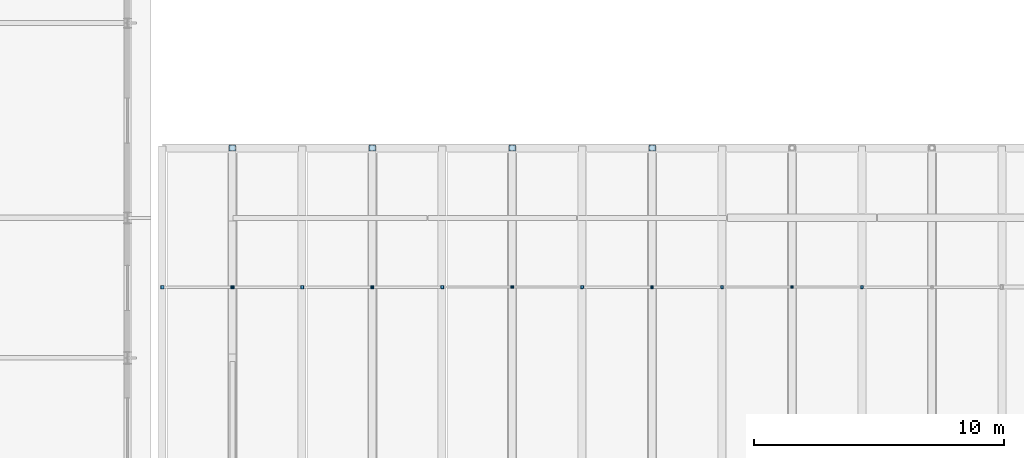
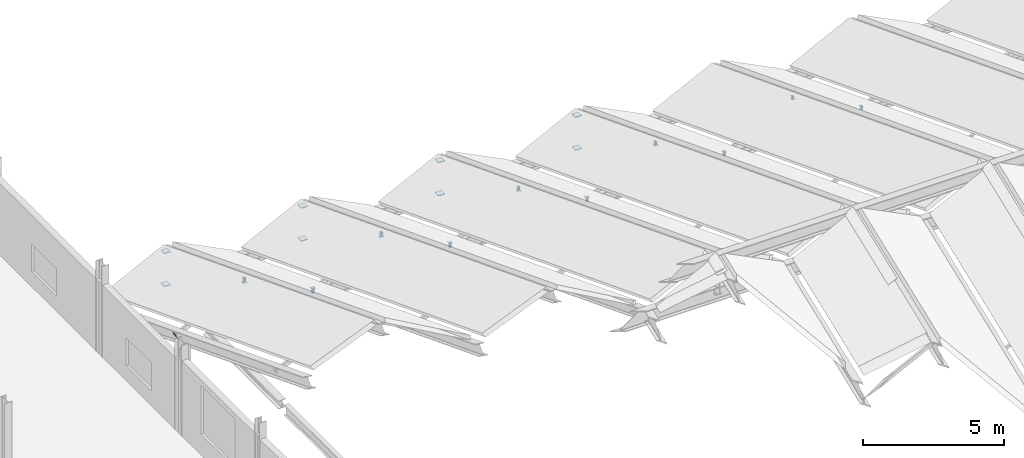
# One storey, part 35 of 49: 29 plates.
"""IFC4 building model written with IfcOpenShell, lengths in metres."""

from ifc_helpers import new_model, si_unit, direction, frame, origin, origin_2d, place, context, subcontext, project, spatial, rectangle, extrude, material, material_profile, profile_set, type_object, element, save


model = new_model("IFC4")

# Units and contexts
model_context = context("Model", 3, precision=1e-05, world=origin(), true_north=direction((0.0, 1.0)))
body_context = subcontext(model_context, "Body", "Model", "MODEL_VIEW")
ifc_project = project(units=[si_unit("LENGTHUNIT", "METRE"), si_unit("AREAUNIT", "SQUARE_METRE"), si_unit("VOLUMEUNIT", "CUBIC_METRE"), si_unit("PLANEANGLEUNIT", "RADIAN"), si_unit("MASSUNIT", "GRAM", prefix="KILO")], contexts=[model_context])

# Site, building, storey
site_placement = place(None, origin())
site = spatial("IfcSite", under=ifc_project, at=site_placement, CompositionType="ELEMENT")
building_placement = place(site_placement, origin())
building = spatial("IfcBuilding", under=site, at=building_placement, Name="Vinh Khe Railworks Police Headquarters", CompositionType="ELEMENT")
storey_placement = place(building_placement, frame((0.0, 0.0, 17.10009765625)))
storey = spatial("IfcBuildingStorey", under=building, at=storey_placement, Name="L04", CompositionType="ELEMENT", Elevation=17.10009765625)

# Plates
ifc_material = material(Name="Steel S355JR", Category="steel")
ifc_material_profile_1 = material_profile(ifc_material, rectangle(XDim=0.1201171875, YDim=0.159912109375, at=origin_2d()), Name="PL 120x160")
ifc_profile_set_1 = profile_set([ifc_material_profile_1], Name="Steel S355JR")
plate_type_1 = type_object("IfcPlateType", Name="Steel End-Cap Plate 120x160x24", PredefinedType="SHEET", material=ifc_profile_set_1)
for number, where, z_axis, x_axis, name in (
    (1, (46.0, 56.03271484375, 1.9775390625), (-0.894427191, 0.0, -0.4472135955), (0.0, -1.0, 0.0), "End-Cap Gusset Plate PLT-EP-0448"),
    (2, (48.800048828125, 56.03271484375, 3.37744140625), (-0.894427191, 0.0, 0.4472135955), (0.0, -1.0, 0.0), "End-Cap Gusset Plate PLT-EP-0476"),
    (3, (48.800048828125, 56.03271484375, 3.37744140625), (0.894427191, 0.0, 0.4472135955), (0.0, 1.0, 0.0), "End-Cap Gusset Plate PLT-EP-0477"),
    (4, (51.60009765625, 56.03271484375, 1.9775390625), (0.894427191, 0.0, -0.4472135955), (0.0, 1.0, 0.0), "End-Cap Gusset Plate PLT-EP-0519"),
):
    element("IfcPlate", number, at=place(storey_placement, frame(where, z_axis=z_axis, x_axis=x_axis)), inside=storey, type_object=plate_type_1, Name=name, PredefinedType="SHEET", context=body_context, shape_type="SweptSolid", body=[
        extrude(rectangle(XDim=0.1201171875, YDim=0.159912109375, at=origin_2d()), origin(), (0.0, 0.0, 1.0), 0.02392578125),
    ])
ifc_material_profile_2 = material_profile(ifc_material, rectangle(XDim=0.1201171875, YDim=0.199951171875, at=origin_2d()), Name="PL 120x200")
ifc_profile_set_2 = profile_set([ifc_material_profile_2], Name="Steel S355JR")
plate_type_2 = type_object("IfcPlateType", Name="Steel End-Cap Plate 120x200x24", PredefinedType="SHEET", material=ifc_profile_set_2)
for number, where, z_axis, x_axis, name in (
    (5, (34.800048828125, 56.03271484375, 1.95751953125), (-0.894427191, 0.0, -0.4472135955), (0.0, -1.0, 0.0), "End-Cap Gusset Plate PLT-EP-0332"),
    (6, (37.60009765625, 56.03271484375, 3.357421875), (-0.894427191, 0.0, 0.4472135955), (0.0, -1.0, 0.0), "End-Cap Gusset Plate PLT-EP-0376"),
    (7, (37.60009765625, 56.03271484375, 3.357421875), (0.894427191, 0.0, 0.4472135955), (0.0, 1.0, 0.0), "End-Cap Gusset Plate PLT-EP-0377"),
    (8, (40.39990234375, 56.03271484375, 1.95751953125), (0.894427191, 0.0, -0.4472135955), (0.0, 1.0, 0.0), "End-Cap Gusset Plate PLT-EP-0394"),
):
    element("IfcPlate", number, at=place(storey_placement, frame(where, z_axis=z_axis, x_axis=x_axis)), inside=storey, type_object=plate_type_2, Name=name, PredefinedType="SHEET", context=body_context, shape_type="SweptSolid", body=[
        extrude(rectangle(XDim=0.1201171875, YDim=0.199951171875, at=origin_2d()), origin(), (0.0, 0.0, 1.0), 0.02392578125),
    ])
ifc_material_profile_3 = material_profile(ifc_material, rectangle(XDim=0.139892578125, YDim=0.139892578125, at=origin_2d()), Name="PL 140x140")
ifc_profile_set_3 = profile_set([ifc_material_profile_3], Name="Steel S355JR")
plate_type_3 = type_object("IfcPlateType", Name="Steel End-Cap Plate 140x140x24", PredefinedType="SHEET", material=ifc_profile_set_3)
plate_1_placement = place(storey_placement, frame((51.60009765625, 56.03271484375, 1.987548828125), z_axis=(-0.894427191, 0.0, -0.4472135955), x_axis=(0.0, -1.0, 0.0)))
element("IfcPlate", 9, at=plate_1_placement, inside=storey, type_object=plate_type_3, Name="End-Cap Gusset Plate PLT-EP-0518", PredefinedType="SHEET", context=body_context, shape_type="SweptSolid", body=[
    extrude(rectangle(XDim=0.139892578125, YDim=0.139892578125, at=origin_2d()), origin(), (0.0, 0.0, 1.0), 0.02392578125),
])
ifc_material_profile_4 = material_profile(ifc_material, rectangle(XDim=0.139892578125, YDim=0.18994140625, at=origin_2d()), Name="PL 140x190")
ifc_profile_set_4 = profile_set([ifc_material_profile_4], Name="Steel S355JR")
plate_type_4 = type_object("IfcPlateType", Name="Steel End-Cap Plate 140x190x24", PredefinedType="SHEET", material=ifc_profile_set_4)
for number, where, z_axis, x_axis, name in (
    (10, (40.39990234375, 56.03271484375, 1.96240234375), (-0.894427191, 0.0, -0.4472135955), (0.0, -1.0, 0.0), "End-Cap Gusset Plate PLT-EP-0395"),
    (11, (43.199951171875, 56.03271484375, 3.362548828125), (-0.894427191, 0.0, 0.4472135955), (0.0, -1.0, 0.0), "End-Cap Gusset Plate PLT-EP-0422"),
    (12, (43.199951171875, 56.03271484375, 3.362548828125), (0.894427191, 0.0, 0.4472135955), (0.0, 1.0, 0.0), "End-Cap Gusset Plate PLT-EP-0423"),
    (13, (46.0, 56.03271484375, 1.96240234375), (0.894427191, 0.0, -0.4472135955), (0.0, 1.0, 0.0), "End-Cap Gusset Plate PLT-EP-0449"),
):
    element("IfcPlate", number, at=place(storey_placement, frame(where, z_axis=z_axis, x_axis=x_axis)), inside=storey, type_object=plate_type_4, Name=name, PredefinedType="SHEET", context=body_context, shape_type="SweptSolid", body=[
        extrude(rectangle(XDim=0.139892578125, YDim=0.18994140625, at=origin_2d()), origin(), (0.0, 0.0, 1.0), 0.02392578125),
    ])
ifc_material_profile_5 = material_profile(ifc_material, rectangle(XDim=0.139892578125, YDim=0.219970703125, at=origin_2d()), Name="PL 140x220")
ifc_profile_set_5 = profile_set([ifc_material_profile_5], Name="Steel S355JR")
plate_type_5 = type_object("IfcPlateType", Name="Steel End-Cap Plate 140x220x24", PredefinedType="SHEET", material=ifc_profile_set_5)
for number, where, z_axis, x_axis, name in (
    (14, (29.199951171875, 56.03271484375, 1.947509765625), (-0.894427191, 0.0, -0.4472135955), (0.0, -1.0, 0.0), "End-Cap Gusset Plate PLT-EP-0286"),
    (15, (32.0, 56.03271484375, 3.347412109375), (-0.894427191, 0.0, 0.4472135955), (0.0, -1.0, 0.0), "End-Cap Gusset Plate PLT-EP-0300"),
    (16, (32.0, 56.03271484375, 3.347412109375), (0.894427191, 0.0, 0.4472135955), (0.0, 1.0, 0.0), "End-Cap Gusset Plate PLT-EP-0301"),
    (17, (34.800048828125, 56.03271484375, 1.947509765625), (0.894427191, 0.0, -0.4472135955), (0.0, 1.0, 0.0), "End-Cap Gusset Plate PLT-EP-0333"),
):
    element("IfcPlate", number, at=place(storey_placement, frame(where, z_axis=z_axis, x_axis=x_axis)), inside=storey, type_object=plate_type_5, Name=name, PredefinedType="SHEET", context=body_context, shape_type="SweptSolid", body=[
        extrude(rectangle(XDim=0.139892578125, YDim=0.219970703125, at=origin_2d()), origin(), (0.0, 0.0, 1.0), 0.02392578125),
    ])
ifc_material_profile_6 = material_profile(ifc_material, rectangle(XDim=0.139892578125, YDim=0.239990234375, at=origin_2d()), Name="PL 140x240")
ifc_profile_set_6 = profile_set([ifc_material_profile_6], Name="Steel S355JR")
plate_type_6 = type_object("IfcPlateType", Name="Steel End-Cap Plate 140x240x24", PredefinedType="SHEET", material=ifc_profile_set_6)
for number, where, z_axis, x_axis, name in (
    (18, (23.60009765625, 56.03271484375, 1.9375), (-0.894427191, 0.0, -0.4472135955), (0.0, -1.0, 0.0), "End-Cap Gusset Plate PLT-EP-0194"),
    (19, (26.39990234375, 56.03271484375, 3.33740234375), (-0.894427191, 0.0, 0.4472135955), (0.0, -1.0, 0.0), "End-Cap Gusset Plate PLT-EP-0242"),
    (20, (26.39990234375, 56.03271484375, 3.33740234375), (0.894427191, 0.0, 0.4472135955), (0.0, 1.0, 0.0), "End-Cap Gusset Plate PLT-EP-0243"),
    (21, (29.199951171875, 56.03271484375, 1.9375), (0.894427191, 0.0, -0.4472135955), (0.0, 1.0, 0.0), "End-Cap Gusset Plate PLT-EP-0287"),
):
    element("IfcPlate", number, at=place(storey_placement, frame(where, z_axis=z_axis, x_axis=x_axis)), inside=storey, type_object=plate_type_6, Name=name, PredefinedType="SHEET", context=body_context, shape_type="SweptSolid", body=[
        extrude(rectangle(XDim=0.139892578125, YDim=0.239990234375, at=origin_2d()), origin(), (0.0, 0.0, 1.0), 0.02392578125),
    ])
ifc_material_profile_7 = material_profile(ifc_material, rectangle(XDim=0.259033203125, YDim=0.259033203125, at=origin_2d()), Name="PL 259x259")
ifc_profile_set_7 = profile_set([ifc_material_profile_7], Name="Steel S355JR")
plate_type_7 = type_object("IfcPlateType", Name="Steel End-Cap Plate 259x259x24", PredefinedType="SHEET", material=ifc_profile_set_7)
plate_2_placement = place(storey_placement, frame((26.39990234375, 61.60009765625, -0.191162109375), z_axis=(0.0, 0.0, -1.0), x_axis=(1.0, 0.0, 0.0)))
element("IfcPlate", 22, at=plate_2_placement, inside=storey, type_object=plate_type_7, Name="End-Cap Gusset Plate PLT-EP-0251", PredefinedType="SHEET", context=body_context, shape_type="SweptSolid", body=[
    extrude(rectangle(XDim=0.259033203125, YDim=0.259033203125, at=origin_2d()), origin(), (0.0, 0.0, 1.0), 0.024169921875),
])
plate_3_placement = place(storey_placement, frame((26.39990234375, 61.60009765625, 1.208740234375), z_axis=(0.0, 0.0, 1.0), x_axis=(1.0, 0.0, 0.0)))
element("IfcPlate", 23, at=plate_3_placement, inside=storey, type_object=plate_type_7, Name="End-Cap Gusset Plate PLT-EP-0253", PredefinedType="SHEET", context=body_context, shape_type="SweptSolid", body=[
    extrude(rectangle(XDim=0.259033203125, YDim=0.259033203125, at=origin_2d()), origin(), (0.0, 0.0, 1.0), 0.02392578125),
])
plate_4_placement = place(storey_placement, frame((32.0, 61.60009765625, -0.191162109375), z_axis=(0.0, 0.0, -1.0), x_axis=(1.0, 0.0, 0.0)))
element("IfcPlate", 24, at=plate_4_placement, inside=storey, type_object=plate_type_7, Name="End-Cap Gusset Plate PLT-EP-0302", PredefinedType="SHEET", context=body_context, shape_type="SweptSolid", body=[
    extrude(rectangle(XDim=0.259033203125, YDim=0.259033203125, at=origin_2d()), origin(), (0.0, 0.0, 1.0), 0.024169921875),
])
plate_5_placement = place(storey_placement, frame((32.0, 61.60009765625, 1.208740234375), z_axis=(0.0, 0.0, 1.0), x_axis=(1.0, 0.0, 0.0)))
element("IfcPlate", 25, at=plate_5_placement, inside=storey, type_object=plate_type_7, Name="End-Cap Gusset Plate PLT-EP-0303", PredefinedType="SHEET", context=body_context, shape_type="SweptSolid", body=[
    extrude(rectangle(XDim=0.259033203125, YDim=0.259033203125, at=origin_2d()), origin(), (0.0, 0.0, 1.0), 0.02392578125),
])
plate_6_placement = place(storey_placement, frame((37.60009765625, 61.60009765625, -0.191162109375), z_axis=(0.0, 0.0, -1.0), x_axis=(1.0, 0.0, 0.0)))
element("IfcPlate", 26, at=plate_6_placement, inside=storey, type_object=plate_type_7, Name="End-Cap Gusset Plate PLT-EP-0378", PredefinedType="SHEET", context=body_context, shape_type="SweptSolid", body=[
    extrude(rectangle(XDim=0.259033203125, YDim=0.259033203125, at=origin_2d()), origin(), (0.0, 0.0, 1.0), 0.024169921875),
])
plate_7_placement = place(storey_placement, frame((37.60009765625, 61.60009765625, 1.208740234375), z_axis=(0.0, 0.0, 1.0), x_axis=(1.0, 0.0, 0.0)))
element("IfcPlate", 27, at=plate_7_placement, inside=storey, type_object=plate_type_7, Name="End-Cap Gusset Plate PLT-EP-0379", PredefinedType="SHEET", context=body_context, shape_type="SweptSolid", body=[
    extrude(rectangle(XDim=0.259033203125, YDim=0.259033203125, at=origin_2d()), origin(), (0.0, 0.0, 1.0), 0.02392578125),
])
plate_8_placement = place(storey_placement, frame((43.199951171875, 61.60009765625, -0.191162109375), z_axis=(0.0, 0.0, -1.0), x_axis=(1.0, 0.0, 0.0)))
element("IfcPlate", 28, at=plate_8_placement, inside=storey, type_object=plate_type_7, Name="End-Cap Gusset Plate PLT-EP-0424", PredefinedType="SHEET", context=body_context, shape_type="SweptSolid", body=[
    extrude(rectangle(XDim=0.259033203125, YDim=0.259033203125, at=origin_2d()), origin(), (0.0, 0.0, 1.0), 0.024169921875),
])
plate_9_placement = place(storey_placement, frame((43.199951171875, 61.60009765625, 1.208740234375), z_axis=(0.0, 0.0, 1.0), x_axis=(1.0, 0.0, 0.0)))
element("IfcPlate", 29, at=plate_9_placement, inside=storey, type_object=plate_type_7, Name="End-Cap Gusset Plate PLT-EP-0425", PredefinedType="SHEET", context=body_context, shape_type="SweptSolid", body=[
    extrude(rectangle(XDim=0.259033203125, YDim=0.259033203125, at=origin_2d()), origin(), (0.0, 0.0, 1.0), 0.02392578125),
])

save(model, "model.ifc")
